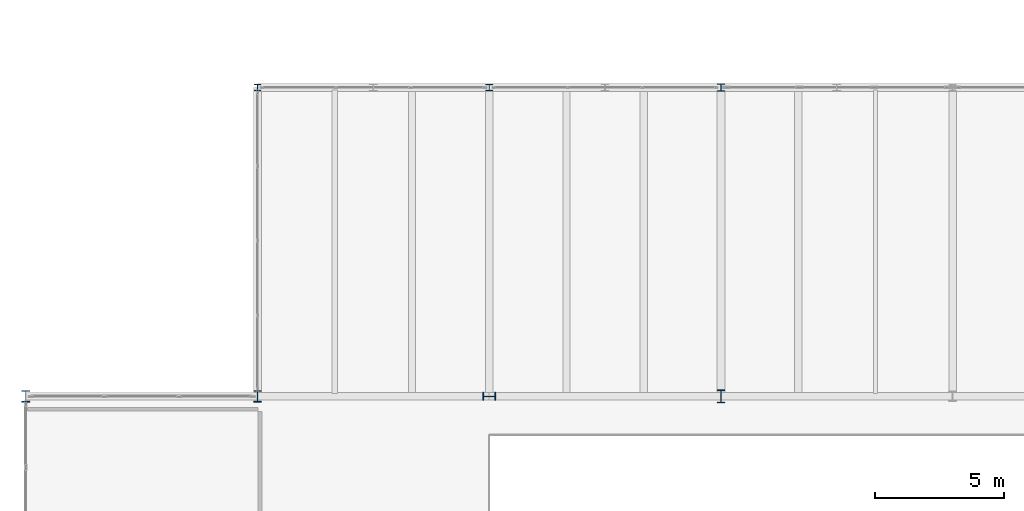
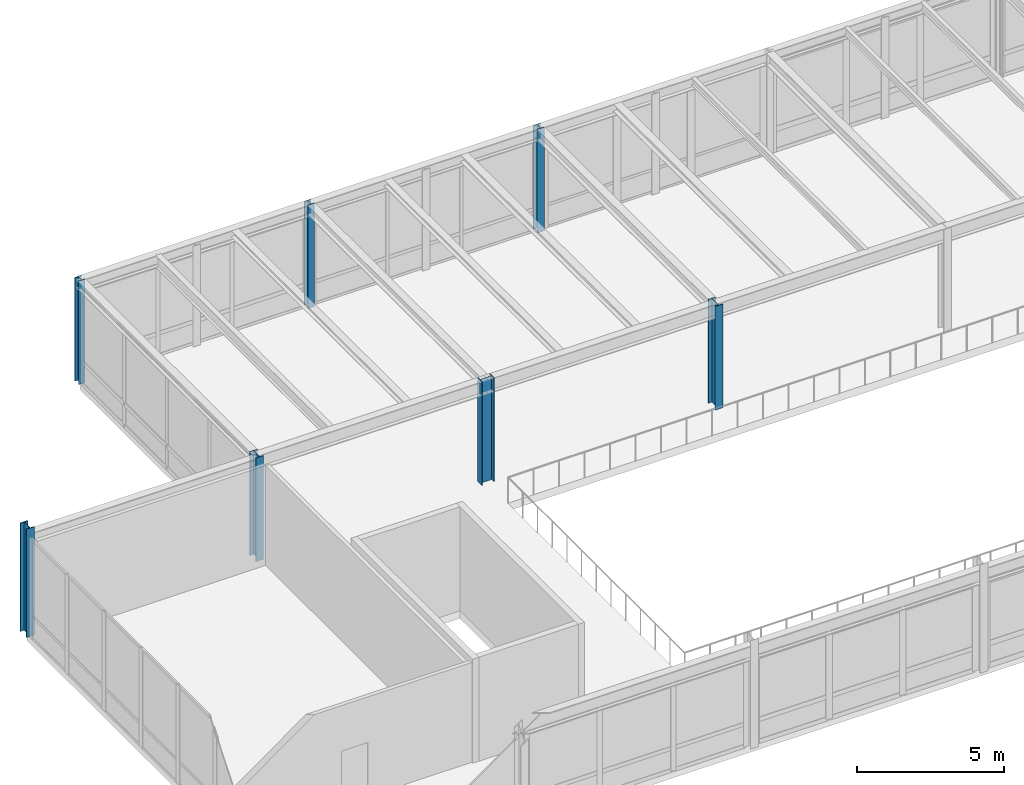
# One storey, part 10 of 115: 7 columns.
"""IFC4 building model written with IfcOpenShell, lengths in metres."""

from ifc_helpers import new_model, si_unit, direction, frame, origin, origin_2d, place, context, subcontext, project, spatial, i_section, extrude, material, material_profile, profile_set, type_object, element, save


model = new_model("IFC4")

# Units and contexts
model_context = context("Model", 3, precision=1e-05, world=origin(), true_north=direction((0.0, 1.0)))
body_context = subcontext(model_context, "Body", "Model", "MODEL_VIEW")
ifc_project = project(units=[si_unit("LENGTHUNIT", "METRE"), si_unit("AREAUNIT", "SQUARE_METRE"), si_unit("VOLUMEUNIT", "CUBIC_METRE"), si_unit("PLANEANGLEUNIT", "RADIAN"), si_unit("MASSUNIT", "GRAM", prefix="KILO")], contexts=[model_context])

# Site, building, storey
site_placement = place(None, origin())
site = spatial("IfcSite", under=ifc_project, at=site_placement, CompositionType="ELEMENT")
building_placement = place(site_placement, origin())
building = spatial("IfcBuilding", under=site, at=building_placement, Name="Montelvaro Courts of Justice", CompositionType="ELEMENT")
storey_placement = place(building_placement, frame((0.0, 0.0, 9.89990234375)))
storey = spatial("IfcBuildingStorey", under=building, at=storey_placement, Name="L02", CompositionType="ELEMENT", Elevation=9.89990234375)

# Columns
ifc_material = material(Name="Steel S355", Category="steel")
ifc_material_profile_1 = material_profile(ifc_material, i_section(OverallWidth=0.260009765625, OverallDepth=0.260009765625, WebThickness=0.010009765625, FlangeThickness=0.017578125, at=origin_2d()), Name="HEB 260")
ifc_profile_set_1 = profile_set([ifc_material_profile_1], Name="Steel S355")
column_type_1 = type_object("IfcColumnType", Name="Col_HEB260", PredefinedType="COLUMN", material=ifc_profile_set_1)
for number, where, z_axis, x_axis, name in (
    (1, (27.0, 108.0, 0.0), (0.0, 0.0, 1.0), (1.0, 0.0, 0.0), "Column C-01 L02 4/I"),
    (2, (36.0, 108.0, 0.0), (0.0, 0.0, 1.0), (1.0, 0.0, 0.0), "Column C-01 L02 5/I"),
):
    element("IfcColumn", number, at=place(storey_placement, frame(where, z_axis=z_axis, x_axis=x_axis)), inside=storey, type_object=column_type_1, Name=name, PredefinedType="COLUMN", context=body_context, shape_type="SweptSolid", body=[
        extrude(i_section(OverallWidth=0.260009765625, OverallDepth=0.260009765625, WebThickness=0.010009765625, FlangeThickness=0.017578125, at=origin_2d()), origin(), (0.0, 0.0, 1.0), 4.300048828125),
    ])
ifc_material_profile_2 = material_profile(ifc_material, i_section(OverallWidth=0.280029296875, OverallDepth=0.280029296875, WebThickness=0.010498046875, FlangeThickness=0.01806640625, at=origin_2d()), Name="HEB 280")
ifc_profile_set_2 = profile_set([ifc_material_profile_2], Name="Steel S355")
column_type_2 = type_object("IfcColumnType", Name="Col_HEB280", PredefinedType="COLUMN", material=ifc_profile_set_2)
column_1_placement = place(storey_placement, frame((45.0, 108.0, 0.0), z_axis=(0.0, 0.0, 1.0), x_axis=(1.0, 0.0, 0.0)))
element("IfcColumn", 3, at=column_1_placement, inside=storey, type_object=column_type_2, Name="Column C-02 L02 6/I", PredefinedType="COLUMN", context=body_context, shape_type="SweptSolid", body=[
    extrude(i_section(OverallWidth=0.280029296875, OverallDepth=0.280029296875, WebThickness=0.010498046875, FlangeThickness=0.01806640625, at=origin_2d()), origin(), (0.0, 0.0, 1.0), 4.300048828125),
])
ifc_material_profile_3 = material_profile(ifc_material, i_section(OverallWidth=0.300048828125, OverallDepth=0.449951171875, WebThickness=0.013916015625, FlangeThickness=0.02587890625, at=origin_2d()), Name="HEB 450")
ifc_profile_set_3 = profile_set([ifc_material_profile_3], Name="Steel S355")
column_type_3 = type_object("IfcColumnType", Name="Col_HEB450", PredefinedType="COLUMN", material=ifc_profile_set_3)
column_2_placement = place(storey_placement, frame((18.0, 96.0, 0.0), z_axis=(0.0, 0.0, 1.0), x_axis=(1.0, 0.0, 0.0)))
element("IfcColumn", 4, at=column_2_placement, inside=storey, type_object=column_type_3, Name="Column C-08 L02 3/H", PredefinedType="COLUMN", context=body_context, shape_type="SweptSolid", body=[
    extrude(i_section(OverallWidth=0.300048828125, OverallDepth=0.449951171875, WebThickness=0.013916015625, FlangeThickness=0.02587890625, at=origin_2d()), origin(), (0.0, 0.0, 1.0), 4.5),
])
column_3_placement = place(storey_placement, frame((27.0, 96.0, 0.0), z_axis=(0.0, 0.0, 1.0), x_axis=(1.0, 0.0, 0.0)))
element("IfcColumn", 5, at=column_3_placement, inside=storey, type_object=column_type_3, Name="Column C-08 L02 4/H", PredefinedType="COLUMN", context=body_context, shape_type="SweptSolid", body=[
    extrude(i_section(OverallWidth=0.300048828125, OverallDepth=0.449951171875, WebThickness=0.013916015625, FlangeThickness=0.02587890625, at=origin_2d()), origin(), (0.0, 0.0, 1.0), 4.300048828125),
])
ifc_material_profile_4 = material_profile(ifc_material, i_section(OverallWidth=0.300048828125, OverallDepth=0.5, WebThickness=0.014404296875, FlangeThickness=0.028076171875, at=origin_2d()), Name="HEB 500")
ifc_profile_set_4 = profile_set([ifc_material_profile_4], Name="Steel S355")
column_type_4 = type_object("IfcColumnType", Name="Col_HEB500", PredefinedType="COLUMN", material=ifc_profile_set_4)
for number, where, z_axis, x_axis, name in (
    (6, (36.0, 96.0, 0.0), (0.0, 0.0, 1.0), (0.0, 1.0, 0.0), "Column C-09 L02 5/H"),
    (7, (45.0, 96.0, 0.0), (0.0, 0.0, 1.0), (1.0, 0.0, 0.0), "Column C-09 L02 6/H"),
):
    element("IfcColumn", number, at=place(storey_placement, frame(where, z_axis=z_axis, x_axis=x_axis)), inside=storey, type_object=column_type_4, Name=name, PredefinedType="COLUMN", context=body_context, shape_type="SweptSolid", body=[
        extrude(i_section(OverallWidth=0.300048828125, OverallDepth=0.5, WebThickness=0.014404296875, FlangeThickness=0.028076171875, at=origin_2d()), origin(), (0.0, 0.0, 1.0), 4.300048828125),
    ])

save(model, "model.ifc")
